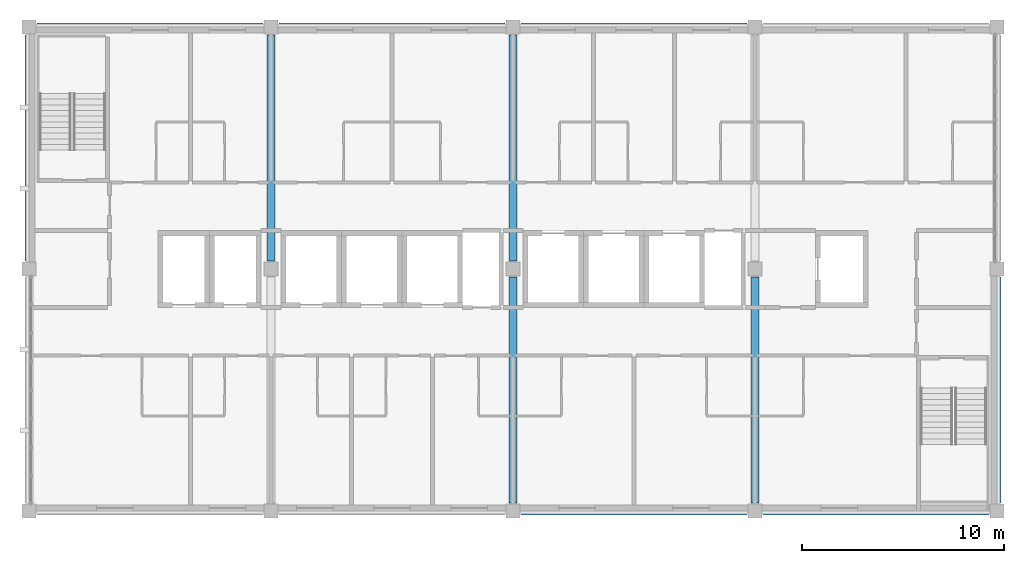
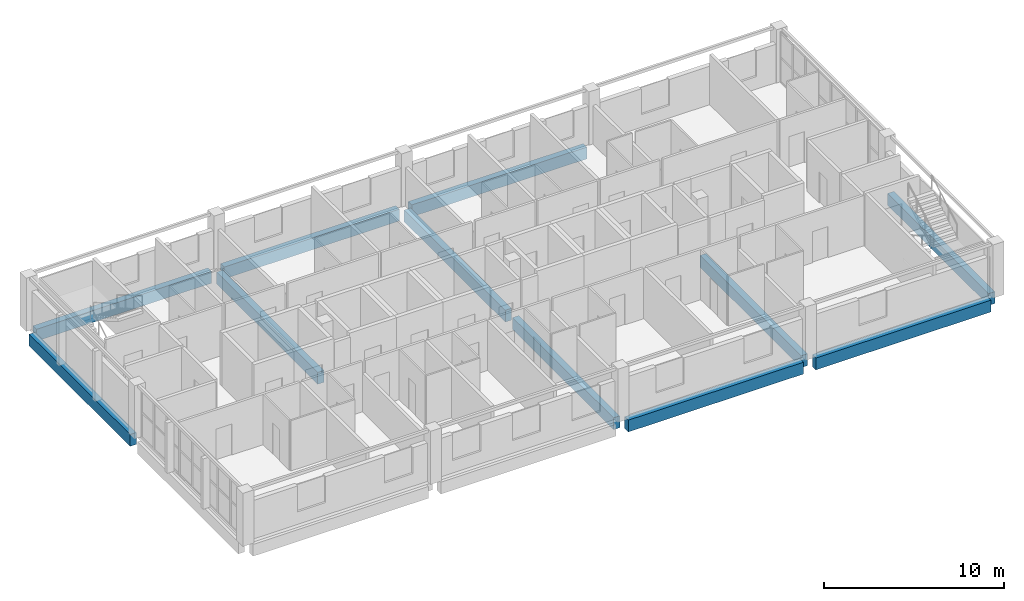
# One storey, part 3 of 11: 11 beams.
"""IFC4 building model written with IfcOpenShell, lengths in metres."""

from ifc_helpers import new_model, si_unit, direction, frame, origin, origin_2d, place, context, subcontext, project, spatial, rectangle, extrude, material, material_profile, profile_set, type_object, element, save


model = new_model("IFC4")

# Units and contexts
model_context = context("Model", 3, precision=1e-05, world=origin(), true_north=direction((0.0, 1.0)))
body_context = subcontext(model_context, "Body", "Model", "MODEL_VIEW")
ifc_project = project(units=[si_unit("LENGTHUNIT", "METRE"), si_unit("AREAUNIT", "SQUARE_METRE"), si_unit("VOLUMEUNIT", "CUBIC_METRE"), si_unit("PLANEANGLEUNIT", "RADIAN"), si_unit("MASSUNIT", "GRAM", prefix="KILO")], contexts=[model_context])

# Site, building, storey
site_placement = place(None, origin())
site = spatial("IfcSite", under=ifc_project, at=site_placement, CompositionType="ELEMENT")
building_placement = place(site_placement, origin())
building = spatial("IfcBuilding", under=site, at=building_placement, Name="Lilac Gate Convention Centre", CompositionType="ELEMENT")
storey_placement = place(building_placement, frame((0.0, 0.0, 49.800048828125)))
storey = spatial("IfcBuildingStorey", under=building, at=storey_placement, Name="L12", CompositionType="ELEMENT", Elevation=49.800048828125)

# Beams
ifc_material = material(Name="Concrete C40", Category="concrete")
ifc_material_profile = material_profile(ifc_material, rectangle(XDim=0.39990234375, YDim=0.800048828125, at=origin_2d()), Name="RC 400x800")
ifc_profile_set = profile_set([ifc_material_profile], Name="Concrete C40")
beam_type = type_object("IfcBeamType", Name="Tower primary beam 400x800 C40", PredefinedType="BEAM", material=ifc_profile_set)
for number, where, z_axis, x_axis, name in (
    (1, (66.39990234375, 222.0, -0.60009765625), (1.0, 0.0, 0.0), (0.0, 1.0, 0.0), "RB3 L12 6/S-7/S"),
    (2, (78.39990234375, 222.0, -0.60009765625), (1.0, 0.0, 0.0), (0.0, 1.0, 0.0), "RB3 L12 7/S-8/S"),
    (3, (42.39990234375, 246.0, -0.60009765625), (1.0, 0.0, 0.0), (0.0, 1.0, 0.0), "RB3 L12 4/U-5/U"),
    (4, (54.39990234375, 246.0, -0.60009765625), (1.0, 0.0, 0.0), (0.0, 1.0, 0.0), "RB3 L12 5/U-6/U"),
    (5, (66.39990234375, 246.0, -0.60009765625), (1.0, 0.0, 0.0), (0.0, 1.0, 0.0), "RB3 L12 6/U-7/U"),
    (6, (42.0, 234.39990234375, -0.60009765625), (0.0, 1.0, 0.0), (-1.0, 0.0, 0.0), "RB3 L12 4/T-4/U"),
    (7, (54.0, 234.39990234375, -0.60009765625), (0.0, 1.0, 0.0), (-1.0, 0.0, 0.0), "RB3 L12 5/T-5/U"),
    (8, (66.0, 222.39990234375, -0.60009765625), (0.0, 1.0, 0.0), (-1.0, 0.0, 0.0), "RB3 L12 6/S-6/T"),
    (9, (66.0, 234.39990234375, -0.60009765625), (0.0, 1.0, 0.0), (-1.0, 0.0, 0.0), "RB3 L12 6/T-6/U"),
    (10, (78.0, 222.39990234375, -0.60009765625), (0.0, 1.0, 0.0), (-1.0, 0.0, 0.0), "RB3 L12 7/S-7/T"),
    (11, (90.0, 222.39990234375, -0.60009765625), (0.0, 1.0, 0.0), (-1.0, 0.0, 0.0), "RB3 L12 8/S-8/T"),
):
    element("IfcBeam", number, at=place(storey_placement, frame(where, z_axis=z_axis, x_axis=x_axis)), inside=storey, type_object=beam_type, Name=name, PredefinedType="BEAM", context=body_context, shape_type="SweptSolid", body=[
        extrude(rectangle(XDim=0.39990234375, YDim=0.800048828125, at=origin_2d()), origin(), (0.0, 0.0, 1.0), 11.2001953125),
    ])

save(model, "model.ifc")
